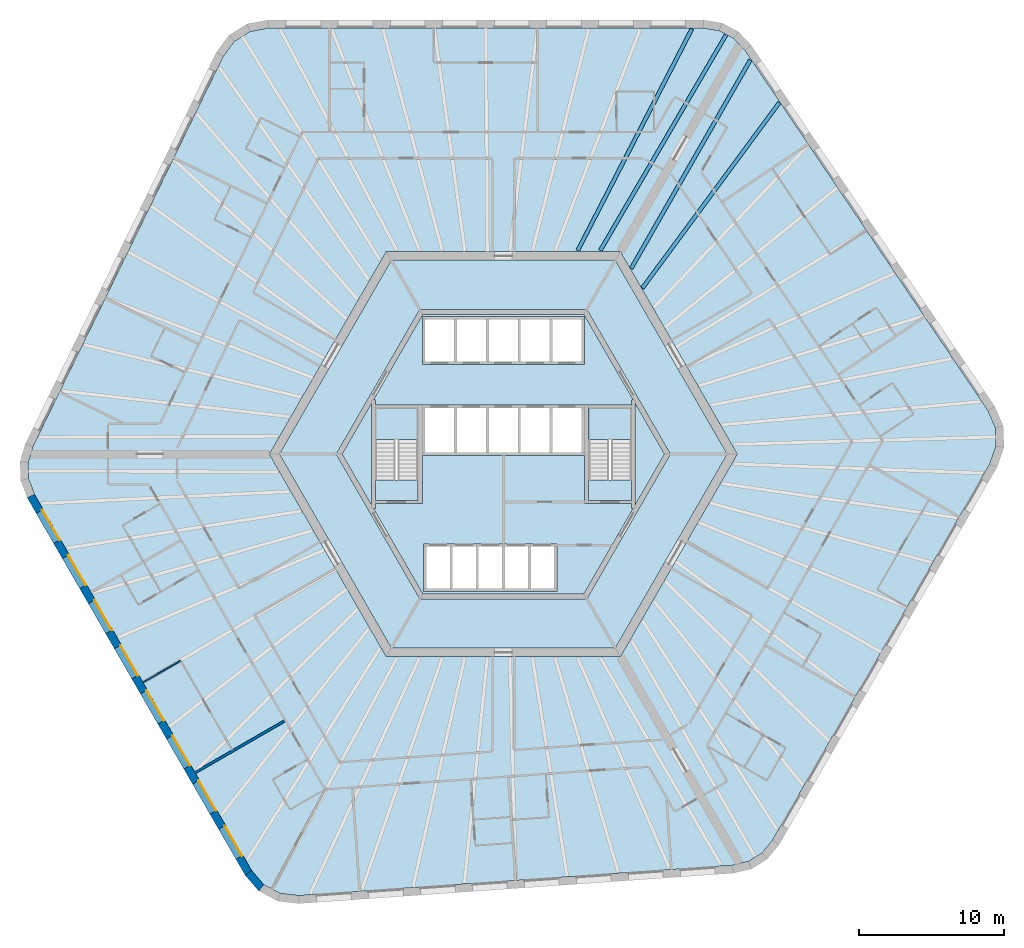
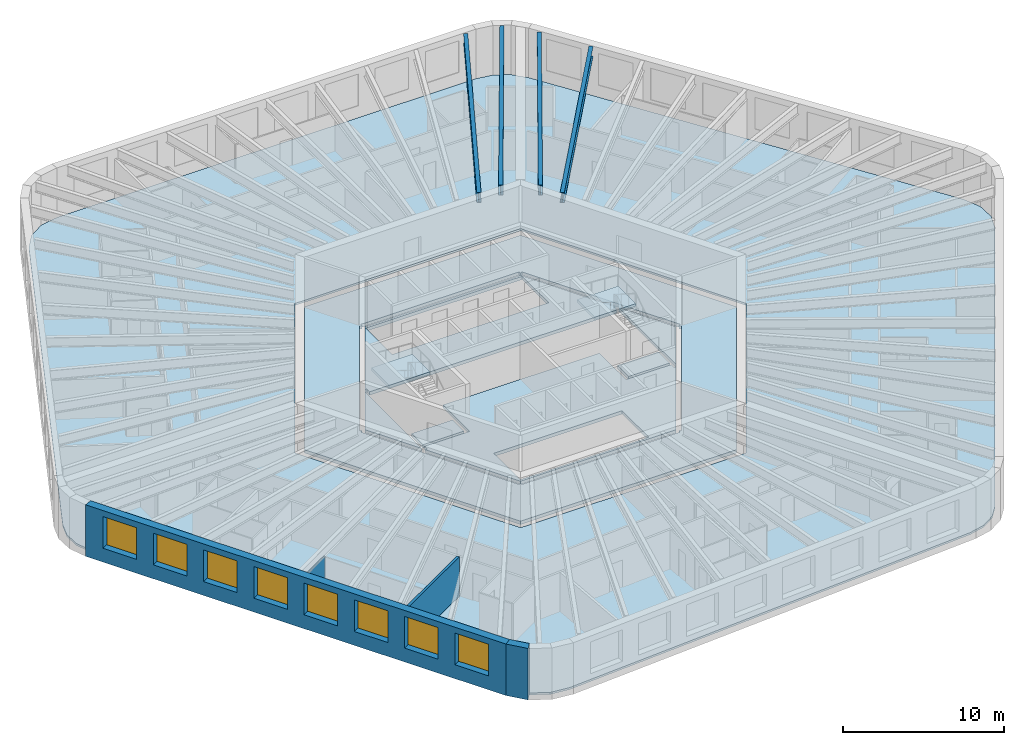
# One storey, part 2 of 11: 10 slabs, 8 windows, 4 beams, 4 walls, 8 openings, 2 elements without a shape of their own.
"""IFC4 building model written with IfcOpenShell, lengths in metres."""

from ifc_helpers import new_model, si_unit, direction, frame, frame_2d, origin, origin_2d, place, context, subcontext, project, spatial, polyline, rectangle, i_section, outline, extrude, material, layer, layer_set, material_profile, profile_set, type_object, element, fill, aggregate, save


model = new_model("IFC4")

# Units and contexts
model_context = context("Model", 3, precision=1e-05, world=origin(), true_north=direction((0.0, 1.0)))
body_context = subcontext(model_context, "Body", "Model", "MODEL_VIEW")
ifc_project = project(units=[si_unit("LENGTHUNIT", "METRE"), si_unit("AREAUNIT", "SQUARE_METRE"), si_unit("VOLUMEUNIT", "CUBIC_METRE"), si_unit("PLANEANGLEUNIT", "RADIAN"), si_unit("MASSUNIT", "GRAM", prefix="KILO")], contexts=[model_context])

# Site, building, storey
site_placement = place(None, origin())
site = spatial("IfcSite", under=ifc_project, at=site_placement, CompositionType="ELEMENT")
building_placement = place(site_placement, origin())
building = spatial("IfcBuilding", under=site, at=building_placement, Name="Tarnside Tower", CompositionType="ELEMENT")
storey_placement = place(building_placement, frame((0.0, 0.0, 103.800048828125)))
storey = spatial("IfcBuildingStorey", under=building, at=storey_placement, Name="L23", CompositionType="ELEMENT", Elevation=103.800048828125)

# Beams
ifc_material_1 = material(Name="Steel S355", Category="steel")
ifc_material_profile = material_profile(ifc_material_1, i_section(OverallWidth=0.2666015625, OverallDepth=0.76220703125, WebThickness=0.014404296875, FlangeThickness=0.021484375, FilletRadius=0.0166015625, at=origin_2d()), Name="UB 762x267x173")
ifc_profile_set = profile_set([ifc_material_profile], Name="Steel S355")
beam_type = type_object("IfcBeamType", Name="Floor beam UB 762x267x173", PredefinedType="BEAM", material=ifc_profile_set)
beam_1_placement = place(storey_placement, frame((13.0283203125, 29.37890625, 3.368896484375), z_axis=(-0.457973226459, -0.888965985765, 0.0), x_axis=(0.888965985765, -0.457973226459, 0.0)))
element("IfcBeam", 1, at=beam_1_placement, inside=storey, type_object=beam_type, Name="Floor beam F1.01", PredefinedType="BEAM", context=body_context, shape_type="SweptSolid", body=[
    extrude(i_section(OverallWidth=0.2666015625, OverallDepth=0.76220703125, WebThickness=0.014404296875, FlangeThickness=0.021484375, FilletRadius=0.0166015625, at=origin_2d()), origin(), (0.0, 0.0, 1.0), 17.219970703125),
])
beam_2_placement = place(storey_placement, frame((19.072021484375, 24.28857421875, 3.368896484375), z_axis=(-0.593986893499, -0.804474717037, 0.0), x_axis=(0.804474717037, -0.593986893499, 0.0)))
element("IfcBeam", 2, at=beam_2_placement, inside=storey, type_object=beam_type, Name="Floor beam F6.08", PredefinedType="BEAM", context=body_context, shape_type="SweptSolid", body=[
    extrude(i_section(OverallWidth=0.2666015625, OverallDepth=0.76220703125, WebThickness=0.014404296875, FlangeThickness=0.021484375, FilletRadius=0.0166015625, at=origin_2d()), origin(), (0.0, 0.0, 1.0), 15.934326171875),
])
beam_3_placement = place(storey_placement, frame((17.066162109375, 27.235107421875, 3.368896484375), z_axis=(-0.49622611841, -0.868193319145, 0.0), x_axis=(0.868193319145, -0.49622611841, 0.0)))
element("IfcBeam", 3, at=beam_3_placement, inside=storey, type_object=beam_type, Name="Floor beam F6.09", PredefinedType="BEAM", context=body_context, shape_type="SweptSolid", body=[
    extrude(i_section(OverallWidth=0.2666015625, OverallDepth=0.76220703125, WebThickness=0.014404296875, FlangeThickness=0.021484375, FilletRadius=0.0166015625, at=origin_2d()), origin(), (0.0, 0.0, 1.0), 16.586669921875),
])
beam_4_placement = place(storey_placement, frame((15.4013671875, 28.990478515625, 3.368896484375), z_axis=(-0.503858723096, -0.863786077198, 0.0), x_axis=(0.863786077198, -0.503858723096, 0.0)))
element("IfcBeam", 4, at=beam_4_placement, inside=storey, type_object=beam_type, Name="Floor beam C6", PredefinedType="BEAM", context=body_context, shape_type="SweptSolid", body=[
    extrude(i_section(OverallWidth=0.2666015625, OverallDepth=0.76220703125, WebThickness=0.014404296875, FlangeThickness=0.021484375, FilletRadius=0.0166015625, at=origin_2d()), origin(), (0.0, 0.0, 1.0), 17.2744140625),
])

# Slabs
ifc_material_2 = material(Name="Concrete C35/45", Category="concrete")
ifc_layer_1 = layer(ifc_material_2, 0.14990234375)
ifc_layer_set_1 = layer_set([ifc_layer_1], Name="Composite floor slab 150")
slab_type_1 = type_object("IfcSlabType", Name="Composite floor slab 150", PredefinedType="FLOOR", material=ifc_layer_set_1)
slab_1_placement = place(storey_placement, frame((0.0, 0.0, -0.150146484375)))
element("IfcSlab", 5, at=slab_1_placement, inside=storey, type_object=slab_type_1, Name="Floor slab L23", PredefinedType="FLOOR", context=body_context, shape_type="SweptSolid", body=[
    extrude(outline(polyline([(14.927490234375, 29.264892578125), (15.91455078125, 28.740234375), (16.697265625, 27.91064453125), (33.48583984375, 3.0205078125), (34.001220703125, 1.825439453125), (34.0458984375, 0.55078125), (33.614990234375, -0.67724609375), (18.603515625, -26.677978515625), (17.880615234375, -27.56005859375), (16.9326171875, -28.15234375), (15.82275390625, -28.41552734375), (-14.127197265625, -30.509765625), (-15.419921875, -30.358642578125), (-16.5458984375, -29.760009765625), (-17.39404296875, -28.772705078125), (-32.405517578125, -2.772216796875), (-32.80810546875, -1.704833984375), (-32.846923828125, -0.587890625), (-32.52001953125, 0.5048828125), (-19.358642578125, 27.4892578125), (-18.58154296875, 28.533203125), (-17.5, 29.208984375), (-16.220947265625, 29.449951171875), (13.802001953125, 29.449951171875), (14.927490234375, 29.264892578125)]), holes=[polyline([(-16.165771484375, 0.0), (-8.0830078125, -14.0), (8.0830078125, -14.0), (16.165771484375, 0.0), (8.0830078125, 14.0), (-8.0830078125, 14.0), (-16.165771484375, 0.0)])]), origin(), (0.0, 0.0, 1.0), 0.150146484375),
])
ifc_material_3 = material(Name="Concrete C40/50", Category="concrete")
ifc_layer_2 = layer(ifc_material_3, 0.25)
ifc_layer_set_2 = layer_set([ifc_layer_2], Name="Core slab C40/50")
slab_type_2 = type_object("IfcSlabType", Name="Core slab C40/50", PredefinedType="FLOOR", material=ifc_layer_set_2)
slab_2_placement = place(storey_placement, frame((0.0, 0.0, -0.25)))
element("IfcSlab", 6, at=slab_2_placement, inside=storey, type_object=slab_type_2, Name="L23 core floor slab 1", PredefinedType="FLOOR", context=body_context, shape_type="SweptSolid", body=[
    extrude(outline(polyline([(-15.472900390625, 0.0), (-7.736572265625, 13.39990234375), (7.736572265625, 13.39990234375), (15.472900390625, 0.0), (7.736572265625, -13.39990234375), (-7.736572265625, -13.39990234375), (-15.472900390625, 0.0)]), holes=[polyline([(5.823974609375, -9.91259765625), (11.49658203125, -0.08740234375), (11.344970703125, 0.0), (11.49658203125, 0.08740234375), (5.823974609375, 9.91259765625), (5.672607421875, 9.824951171875), (5.672607421875, 10.0), (-5.672607421875, 10.0), (-5.672607421875, 9.824951171875), (-5.823974609375, 9.91259765625), (-11.49658203125, 0.08740234375), (-11.344970703125, 0.0), (-11.49658203125, -0.08740234375), (-5.823974609375, -9.91259765625), (-5.672607421875, -9.824951171875), (-5.672607421875, -10.0), (5.672607421875, -10.0), (5.672607421875, -9.824951171875), (5.823974609375, -9.91259765625)])]), origin(), (0.0, 0.0, 1.0), 0.25),
])
slab_3_placement = place(storey_placement, frame((0.0, 0.0, -0.25)))
element("IfcSlab", 7, at=slab_3_placement, inside=storey, type_object=slab_type_2, Name="L23 core floor slab 2", PredefinedType="FLOOR", context=body_context, shape_type="SweptSolid", body=[
    extrude(outline(polyline([(-8.97509765625, 3.7548828125), (-5.5712890625, 9.64990234375), (5.5712890625, 9.64990234375), (8.97509765625, 3.7548828125), (8.85009765625, 3.7548828125), (8.85009765625, 3.39990234375), (5.89990234375, 3.39990234375), (5.60009765625, 3.39990234375), (5.60009765625, 3.39990234375), (-5.60009765625, 3.39990234375), (-5.89990234375, 3.39990234375), (-8.85009765625, 3.39990234375), (-8.85009765625, 3.7548828125), (-8.97509765625, 3.7548828125)]), holes=[polyline([(-5.60009765625, 6.199951171875), (5.60009765625, 6.199951171875), (5.60009765625, 6.39990234375), (5.60009765625, 9.300048828125), (5.60009765625, 9.5), (-5.60009765625, 9.5), (-5.60009765625, 9.300048828125), (-5.60009765625, 6.39990234375), (-5.60009765625, 6.199951171875)])]), origin(), (0.0, 0.0, 1.0), 0.25),
])
slab_4_placement = place(storey_placement, frame((0.0, 0.0, -0.25)))
element("IfcSlab", 8, at=slab_4_placement, inside=storey, type_object=slab_type_2, Name="L23 core floor slab 3", PredefinedType="FLOOR", context=body_context, shape_type="SweptSolid", body=[
    extrude(outline(polyline([(5.60009765625, -3.39990234375), (5.89990234375, -3.39990234375), (8.85009765625, -3.39990234375), (8.85009765625, -3.7548828125), (8.97509765625, -3.7548828125), (5.5712890625, -9.64990234375), (-5.5712890625, -9.64990234375), (-8.97509765625, -3.7548828125), (-8.85009765625, -3.7548828125), (-8.85009765625, -3.39990234375), (-5.89990234375, -3.39990234375), (-5.60009765625, -3.39990234375), (-5.60009765625, -0.10009765625), (5.60009765625, -0.10009765625), (5.60009765625, -3.39990234375)]), holes=[polyline([(-5.5, -9.300048828125), (-5.5, -9.5), (3.699951171875, -9.5), (3.699951171875, -9.300048828125), (3.699951171875, -6.39990234375), (3.699951171875, -6.199951171875), (-5.5, -6.199951171875), (-5.5, -6.39990234375), (-5.5, -9.300048828125)])]), origin(), (0.0, 0.0, 1.0), 0.25),
])
slab_5_placement = place(storey_placement, frame((0.0, 0.0, -0.25)))
element("IfcSlab", 9, at=slab_5_placement, inside=storey, type_object=slab_type_2, Name="L23 core floor slab 4", PredefinedType="FLOOR", context=body_context, shape_type="SweptSolid", body=[
    extrude(outline(polyline([(-11.142822265625, 0.0), (-9.10009765625, 3.538330078125), (-9.10009765625, -3.538330078125), (-11.142822265625, 0.0)])), origin(), (0.0, 0.0, 1.0), 0.25),
])
slab_6_placement = place(storey_placement, frame((0.0, 0.0, -0.25)))
element("IfcSlab", 10, at=slab_6_placement, inside=storey, type_object=slab_type_2, Name="L23 core floor slab 5", PredefinedType="FLOOR", context=body_context, shape_type="SweptSolid", body=[
    extrude(outline(polyline([(-8.85009765625, -1.800048828125), (-5.89990234375, -1.800048828125), (-5.89990234375, -3.199951171875), (-8.85009765625, -3.199951171875), (-8.85009765625, -1.800048828125)])), origin(), (0.0, 0.0, 1.0), 0.25),
])
slab_7_placement = place(storey_placement, frame((0.0, 0.0, -0.25)))
element("IfcSlab", 11, at=slab_7_placement, inside=storey, type_object=slab_type_2, Name="L23 core floor slab 6", PredefinedType="FLOOR", context=body_context, shape_type="SweptSolid", body=[
    extrude(outline(polyline([(5.89990234375, -3.199951171875), (5.89990234375, -1.800048828125), (8.85009765625, -1.800048828125), (8.85009765625, -3.199951171875), (5.89990234375, -3.199951171875)])), origin(), (0.0, 0.0, 1.0), 0.25),
])
slab_8_placement = place(storey_placement, frame((0.0, 0.0, -0.25)))
element("IfcSlab", 12, at=slab_8_placement, inside=storey, type_object=slab_type_2, Name="L23 core floor slab 7", PredefinedType="FLOOR", context=body_context, shape_type="SweptSolid", body=[
    extrude(outline(polyline([(9.10009765625, -3.538330078125), (9.10009765625, 3.538330078125), (11.142822265625, 0.0), (9.10009765625, -3.538330078125)])), origin(), (0.0, 0.0, 1.0), 0.25),
])

# Stair, slab
stair_type = type_object("IfcStairType", Name="Exit stair 1400 clear", PredefinedType="HALF_TURN_STAIR", material=ifc_material_3)
stair_1_placement = place(storey_placement, origin())
stair_1 = element("IfcStair", 13, at=stair_1_placement, inside=storey, type_object=stair_type, Name="L23 Exit stair 1", PredefinedType="HALF_TURN_STAIR")
ifc_layer_3 = layer(ifc_material_3, 0.199951171875)
ifc_layer_set_3 = layer_set([ifc_layer_3], Name="Stair landing 200 C40/50")
slab_type_3 = type_object("IfcSlabType", Name="Stair landing 200 C40/50", PredefinedType="LANDING", material=ifc_layer_set_3)
slab_9_placement = place(storey_placement, frame((0.0, 0.0, 1.75)))
slab_9 = element("IfcSlab", 14, at=slab_9_placement, type_object=slab_type_3, Name="ST1 landing 1", PredefinedType="LANDING", context=body_context, shape_type="SweptSolid", body=[
    extrude(outline(polyline([(8.85009765625, 1.0), (8.85009765625, 3.199951171875), (5.89990234375, 3.199951171875), (5.89990234375, 1.0), (8.85009765625, 1.0)])), origin(), (0.0, 0.0, 1.0), 0.199951171875),
])
aggregate(stair_1, [slab_9])

stair_2_placement = place(storey_placement, origin())
stair_2 = element("IfcStair", 15, at=stair_2_placement, inside=storey, type_object=stair_type, Name="L23 Exit stair 2", PredefinedType="HALF_TURN_STAIR")
slab_10_placement = place(storey_placement, frame((0.0, 0.0, 1.75)))
slab_10 = element("IfcSlab", 16, at=slab_10_placement, type_object=slab_type_3, Name="ST2 landing 1", PredefinedType="LANDING", context=body_context, shape_type="SweptSolid", body=[
    extrude(outline(polyline([(-5.89990234375, 1.0), (-5.89990234375, 3.199951171875), (-8.85009765625, 3.199951171875), (-8.85009765625, 1.0), (-5.89990234375, 1.0)])), origin(), (0.0, 0.0, 1.0), 0.199951171875),
])
aggregate(stair_2, [slab_10])

# Walls
ifc_material_4 = material(Name="Gypsum board partition on steel studs", Category="steel")
ifc_layer_4 = layer(ifc_material_4, 0.179931640625)
ifc_layer_set_4 = layer_set([ifc_layer_4], Name="Demising wall 180 EI 60")
wall_type_1 = type_object("IfcWallType", Name="Demising wall 180 EI 60", PredefinedType="PARTITIONING", material=ifc_layer_set_4)
wall_1_placement = place(storey_placement, frame((-21.298828125, -22.00927734375, 0.0), z_axis=(0.0, 0.0, 1.0), x_axis=(0.866024672353, 0.500001266874, 0.0)))
element("IfcWall", 17, at=wall_1_placement, inside=storey, type_object=wall_type_1, Name="Demising wall 07112", PredefinedType="PARTITIONING", context=body_context, shape_type="SweptSolid", body=[
    extrude(rectangle(XDim=7.125, YDim=0.179931640625, at=frame_2d((3.5625, 0.0))), origin(), (0.0, 0.0, 1.0), 2.98779296875),
])
ifc_layer_5 = layer(ifc_material_4, 0.10009765625)
ifc_layer_set_5 = layer_set([ifc_layer_5], Name="Partition 100")
wall_type_2 = type_object("IfcWallType", Name="Partition 100", PredefinedType="PARTITIONING", material=ifc_layer_set_5)
wall_2_placement = place(storey_placement, frame((-24.89892578125, -15.773681640625, 0.0), z_axis=(0.0, 0.0, 1.0), x_axis=(0.866066333729, 0.499929100554, 0.0)))
element("IfcWall", 18, at=wall_2_placement, inside=storey, type_object=wall_type_2, Name="Partition wall 07110", PredefinedType="PARTITIONING", context=body_context, shape_type="SweptSolid", body=[
    extrude(rectangle(XDim=3.0, YDim=0.10009765625, at=frame_2d((1.5, 0.0))), origin(), (0.0, 0.0, 1.0), 2.98779296875),
])

# Wall, openings, windows
ifc_material_5 = material(Name="Facing brick", Category="masonry")
ifc_layer_6 = layer(ifc_material_5, 0.10205078125)
ifc_material_6 = material(Name="Concrete C60/75 precast", Category="concrete")
ifc_layer_7 = layer(ifc_material_6, 0.347900390625)
ifc_material_7 = material(Name="Mineral wool insulation")
ifc_layer_8 = layer(ifc_material_7, 0.10009765625)
ifc_layer_set_6 = layer_set([ifc_layer_6, ifc_layer_7, ifc_layer_8], Name="Tube wall 550 brick faced")
wall_type_3 = type_object("IfcWallType", Name="Tube wall 550 brick faced", PredefinedType="SOLIDWALL", material=ifc_layer_set_6)
wall_3_placement = place(storey_placement, frame((-32.65478515625, -2.89013671875, -0.150146484375), z_axis=(0.0, 0.0, 1.0), x_axis=(0.499997711317, -0.866026725152, 0.0)))
wall_3 = element("IfcWall", 19, at=wall_3_placement, inside=storey, type_object=wall_type_3, Name="Tube wall L23 F3 flush 08", PredefinedType="SOLIDWALL", context=body_context, shape_type="SweptSolid", body=[
    extrude(outline(polyline([(-0.0224609375, -0.27490234375), (30.0966796875, -0.27490234375), (30.04541015625, 0.27490234375), (0.0224609375, 0.27490234375), (-0.0224609375, -0.27490234375)])), origin(), (0.0, 0.0, 1.0), 3.900146484375),
])
opening_1_placement = place(wall_3_placement, frame((1.235595703125, 0.0, 1.050048828125)))
opening_1 = element("IfcOpeningElement", 20, at=opening_1_placement, cuts=wall_3, Name="Opening WH", PredefinedType="OPENING", context=body_context, shape_type="SweptSolid", body=[
    extrude(rectangle(XDim=2.39990234375, YDim=2.39990234375, at=frame_2d((1.199951171875, 1.199951171875))), frame((0.0, 0.28515625, 0.0), z_axis=(0.0, -1.0, 0.0), x_axis=(1.0, 0.0, 0.0)), (0.0, 0.0, 1.0), 0.570068359375),
])
opening_2_placement = place(wall_3_placement, frame((4.83544921875, 0.0, 1.050048828125)))
opening_2 = element("IfcOpeningElement", 21, at=opening_2_placement, cuts=wall_3, Name="Opening WH", PredefinedType="OPENING", context=body_context, shape_type="SweptSolid", body=[
    extrude(rectangle(XDim=2.39990234375, YDim=2.39990234375, at=frame_2d((1.199951171875, 1.199951171875))), frame((0.0, 0.28515625, 0.0), z_axis=(0.0, -1.0, 0.0), x_axis=(1.0, 0.0, 0.0)), (0.0, 0.0, 1.0), 0.570068359375),
])
opening_3_placement = place(wall_3_placement, frame((8.435546875, 0.0, 1.050048828125)))
opening_3 = element("IfcOpeningElement", 22, at=opening_3_placement, cuts=wall_3, Name="Opening WH", PredefinedType="OPENING", context=body_context, shape_type="SweptSolid", body=[
    extrude(rectangle(XDim=2.39990234375, YDim=2.39990234375, at=frame_2d((1.199951171875, 1.199951171875))), frame((0.0, 0.28515625, 0.0), z_axis=(0.0, -1.0, 0.0), x_axis=(1.0, 0.0, 0.0)), (0.0, 0.0, 1.0), 0.570068359375),
])
opening_4_placement = place(wall_3_placement, frame((12.035400390625, 0.0, 1.050048828125)))
opening_4 = element("IfcOpeningElement", 23, at=opening_4_placement, cuts=wall_3, Name="Opening WH", PredefinedType="OPENING", context=body_context, shape_type="SweptSolid", body=[
    extrude(rectangle(XDim=2.39990234375, YDim=2.39990234375, at=frame_2d((1.199951171875, 1.199951171875))), frame((0.0, 0.28515625, 0.0), z_axis=(0.0, -1.0, 0.0), x_axis=(1.0, 0.0, 0.0)), (0.0, 0.0, 1.0), 0.570068359375),
])
opening_5_placement = place(wall_3_placement, frame((15.635498046875, 0.0, 1.050048828125)))
opening_5 = element("IfcOpeningElement", 24, at=opening_5_placement, cuts=wall_3, Name="Opening WH", PredefinedType="OPENING", context=body_context, shape_type="SweptSolid", body=[
    extrude(rectangle(XDim=2.39990234375, YDim=2.39990234375, at=frame_2d((1.199951171875, 1.199951171875))), frame((0.0, 0.28515625, 0.0), z_axis=(0.0, -1.0, 0.0), x_axis=(1.0, 0.0, 0.0)), (0.0, 0.0, 1.0), 0.570068359375),
])
opening_6_placement = place(wall_3_placement, frame((19.235595703125, 0.0, 1.050048828125)))
opening_6 = element("IfcOpeningElement", 25, at=opening_6_placement, cuts=wall_3, Name="Opening WH", PredefinedType="OPENING", context=body_context, shape_type="SweptSolid", body=[
    extrude(rectangle(XDim=2.39990234375, YDim=2.39990234375, at=frame_2d((1.199951171875, 1.199951171875))), frame((0.0, 0.28515625, 0.0), z_axis=(0.0, -1.0, 0.0), x_axis=(1.0, 0.0, 0.0)), (0.0, 0.0, 1.0), 0.570068359375),
])
opening_7_placement = place(wall_3_placement, frame((22.83544921875, 0.0, 1.050048828125)))
opening_7 = element("IfcOpeningElement", 26, at=opening_7_placement, cuts=wall_3, Name="Opening WH", PredefinedType="OPENING", context=body_context, shape_type="SweptSolid", body=[
    extrude(rectangle(XDim=2.39990234375, YDim=2.39990234375, at=frame_2d((1.199951171875, 1.199951171875))), frame((0.0, 0.28515625, 0.0), z_axis=(0.0, -1.0, 0.0), x_axis=(1.0, 0.0, 0.0)), (0.0, 0.0, 1.0), 0.570068359375),
])
opening_8_placement = place(wall_3_placement, frame((26.435546875, 0.0, 1.050048828125)))
opening_8 = element("IfcOpeningElement", 27, at=opening_8_placement, cuts=wall_3, Name="Opening WH", PredefinedType="OPENING", context=body_context, shape_type="SweptSolid", body=[
    extrude(rectangle(XDim=2.39990234375, YDim=2.39990234375, at=frame_2d((1.199951171875, 1.199951171875))), frame((0.0, 0.28515625, 0.0), z_axis=(0.0, -1.0, 0.0), x_axis=(1.0, 0.0, 0.0)), (0.0, 0.0, 1.0), 0.570068359375),
])
ifc_material_8 = material(Name="Aluminium-framed double glazing", Category="aluminium")
window_type = type_object("IfcWindowType", Name="Hotel window 2400 x 2400", PartitioningType="DOUBLE_PANEL_VERTICAL", PredefinedType="WINDOW", material=ifc_material_8)
window_1_placement = place(opening_1_placement, frame((0.0, 0.205078125, 0.0)))
window_1 = element("IfcWindow", 28, at=window_1_placement, inside=storey, type_object=window_type, Name="E.WN.L23.F3.00", OverallHeight=2.39990234375, OverallWidth=2.39990234375, PartitioningType="DOUBLE_PANEL_VERTICAL", PredefinedType="WINDOW", context=body_context, shape_type="SweptSolid", body=[
    extrude(rectangle(XDim=2.39990234375, YDim=2.39990234375, at=frame_2d((1.199951171875, 1.199951171875))), frame((0.0, 0.030029296875, 0.0), z_axis=(0.0, -1.0, 0.0), x_axis=(1.0, 0.0, 0.0)), (0.0, 0.0, 1.0), 0.06005859375),
])
fill(opening_1, window_1)
window_2_placement = place(opening_2_placement, frame((0.0, 0.205078125, 0.0)))
window_2 = element("IfcWindow", 29, at=window_2_placement, inside=storey, type_object=window_type, Name="E.WN.L23.F3.01", OverallHeight=2.39990234375, OverallWidth=2.39990234375, PartitioningType="DOUBLE_PANEL_VERTICAL", PredefinedType="WINDOW", context=body_context, shape_type="SweptSolid", body=[
    extrude(rectangle(XDim=2.39990234375, YDim=2.39990234375, at=frame_2d((1.199951171875, 1.199951171875))), frame((0.0, 0.030029296875, 0.0), z_axis=(0.0, -1.0, 0.0), x_axis=(1.0, 0.0, 0.0)), (0.0, 0.0, 1.0), 0.06005859375),
])
fill(opening_2, window_2)
window_3_placement = place(opening_3_placement, frame((0.0, 0.205078125, 0.0)))
window_3 = element("IfcWindow", 30, at=window_3_placement, inside=storey, type_object=window_type, Name="E.WN.L23.F3.02", OverallHeight=2.39990234375, OverallWidth=2.39990234375, PartitioningType="DOUBLE_PANEL_VERTICAL", PredefinedType="WINDOW", context=body_context, shape_type="SweptSolid", body=[
    extrude(rectangle(XDim=2.39990234375, YDim=2.39990234375, at=frame_2d((1.199951171875, 1.199951171875))), frame((0.0, 0.030029296875, 0.0), z_axis=(0.0, -1.0, 0.0), x_axis=(1.0, 0.0, 0.0)), (0.0, 0.0, 1.0), 0.06005859375),
])
fill(opening_3, window_3)
window_4_placement = place(opening_4_placement, frame((0.0, 0.205078125, 0.0)))
window_4 = element("IfcWindow", 31, at=window_4_placement, inside=storey, type_object=window_type, Name="E.WN.L23.F3.03", OverallHeight=2.39990234375, OverallWidth=2.39990234375, PartitioningType="DOUBLE_PANEL_VERTICAL", PredefinedType="WINDOW", context=body_context, shape_type="SweptSolid", body=[
    extrude(rectangle(XDim=2.39990234375, YDim=2.39990234375, at=frame_2d((1.199951171875, 1.199951171875))), frame((0.0, 0.030029296875, 0.0), z_axis=(0.0, -1.0, 0.0), x_axis=(1.0, 0.0, 0.0)), (0.0, 0.0, 1.0), 0.06005859375),
])
fill(opening_4, window_4)
window_5_placement = place(opening_5_placement, frame((0.0, 0.205078125, 0.0)))
window_5 = element("IfcWindow", 32, at=window_5_placement, inside=storey, type_object=window_type, Name="E.WN.L23.F3.04", OverallHeight=2.39990234375, OverallWidth=2.39990234375, PartitioningType="DOUBLE_PANEL_VERTICAL", PredefinedType="WINDOW", context=body_context, shape_type="SweptSolid", body=[
    extrude(rectangle(XDim=2.39990234375, YDim=2.39990234375, at=frame_2d((1.199951171875, 1.199951171875))), frame((0.0, 0.030029296875, 0.0), z_axis=(0.0, -1.0, 0.0), x_axis=(1.0, 0.0, 0.0)), (0.0, 0.0, 1.0), 0.06005859375),
])
fill(opening_5, window_5)
window_6_placement = place(opening_6_placement, frame((0.0, 0.205078125, 0.0)))
window_6 = element("IfcWindow", 33, at=window_6_placement, inside=storey, type_object=window_type, Name="E.WN.L23.F3.05", OverallHeight=2.39990234375, OverallWidth=2.39990234375, PartitioningType="DOUBLE_PANEL_VERTICAL", PredefinedType="WINDOW", context=body_context, shape_type="SweptSolid", body=[
    extrude(rectangle(XDim=2.39990234375, YDim=2.39990234375, at=frame_2d((1.199951171875, 1.199951171875))), frame((0.0, 0.030029296875, 0.0), z_axis=(0.0, -1.0, 0.0), x_axis=(1.0, 0.0, 0.0)), (0.0, 0.0, 1.0), 0.06005859375),
])
fill(opening_6, window_6)
window_7_placement = place(opening_7_placement, frame((0.0, 0.205078125, 0.0)))
window_7 = element("IfcWindow", 34, at=window_7_placement, inside=storey, type_object=window_type, Name="E.WN.L23.F3.06", OverallHeight=2.39990234375, OverallWidth=2.39990234375, PartitioningType="DOUBLE_PANEL_VERTICAL", PredefinedType="WINDOW", context=body_context, shape_type="SweptSolid", body=[
    extrude(rectangle(XDim=2.39990234375, YDim=2.39990234375, at=frame_2d((1.199951171875, 1.199951171875))), frame((0.0, 0.030029296875, 0.0), z_axis=(0.0, -1.0, 0.0), x_axis=(1.0, 0.0, 0.0)), (0.0, 0.0, 1.0), 0.06005859375),
])
fill(opening_7, window_7)
window_8_placement = place(opening_8_placement, frame((0.0, 0.205078125, 0.0)))
window_8 = element("IfcWindow", 35, at=window_8_placement, inside=storey, type_object=window_type, Name="E.WN.L23.F3.07", OverallHeight=2.39990234375, OverallWidth=2.39990234375, PartitioningType="DOUBLE_PANEL_VERTICAL", PredefinedType="WINDOW", context=body_context, shape_type="SweptSolid", body=[
    extrude(rectangle(XDim=2.39990234375, YDim=2.39990234375, at=frame_2d((1.199951171875, 1.199951171875))), frame((0.0, 0.030029296875, 0.0), z_axis=(0.0, -1.0, 0.0), x_axis=(1.0, 0.0, 0.0)), (0.0, 0.0, 1.0), 0.06005859375),
])
fill(opening_8, window_8)

# Wall
wall_4_placement = place(storey_placement, frame((-17.619384765625, -28.932373046875, -0.150146484375), z_axis=(0.0, 0.0, 1.0), x_axis=(0.651621950847, -0.758543890078, 0.0)))
element("IfcWall", 36, at=wall_4_placement, inside=storey, type_object=wall_type_3, Name="Tube wall L23 F3 chord 09", PredefinedType="SOLIDWALL", context=body_context, shape_type="SweptSolid", body=[
    extrude(outline(polyline([(-0.025634765625, -0.27490234375), (1.430908203125, -0.27490234375), (1.327392578125, 0.27490234375), (0.025634765625, 0.27490234375), (-0.025634765625, -0.27490234375)])), origin(), (0.0, 0.0, 1.0), 3.900146484375),
])

save(model, "model.ifc")
